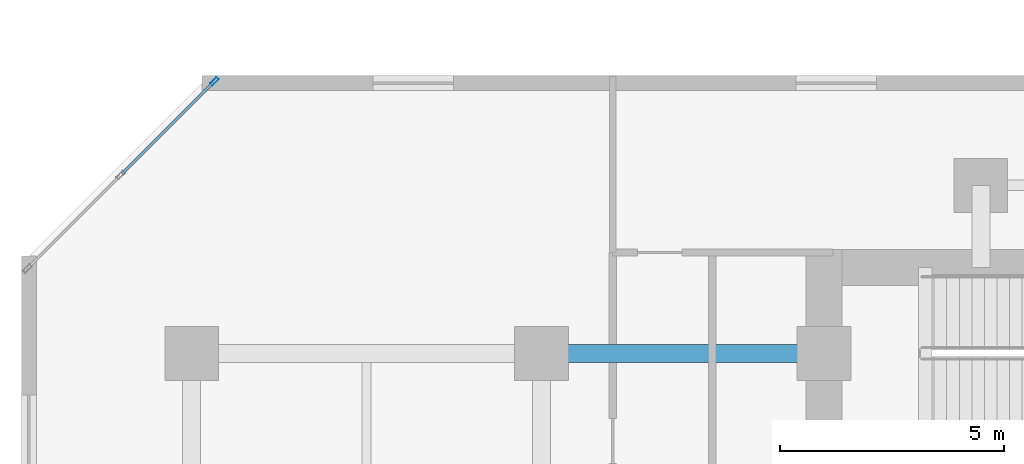
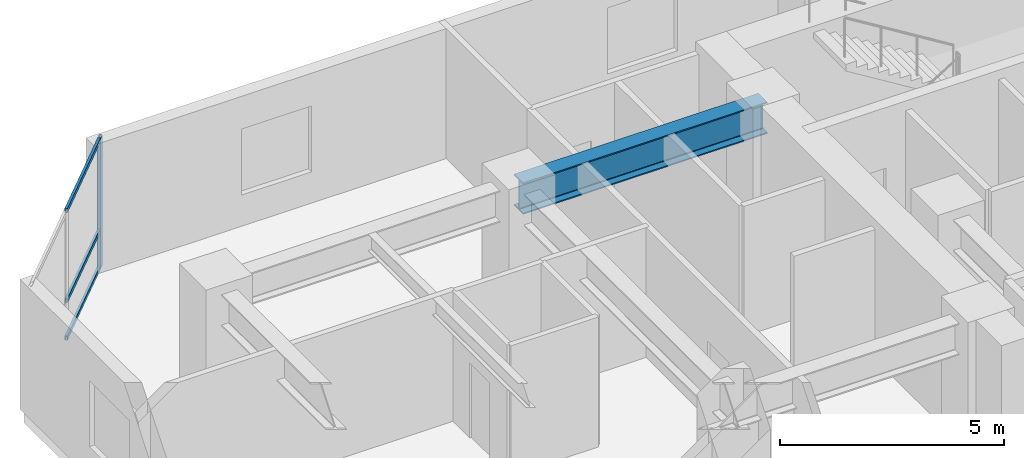
# One storey, part 4 of 12: 4 members, 1 beam, 1 element without a shape of its own.
"""IFC4 building model written with IfcOpenShell, lengths in metres."""

from ifc_helpers import new_model, si_unit, direction, frame, origin, origin_2d, place, context, subcontext, project, spatial, hollow_rectangle, i_section, extrude, material, layer, layer_set, material_profile, profile_set, type_object, element, aggregate, save


model = new_model("IFC4")

# Units and contexts
model_context = context("Model", 3, precision=1e-05, world=origin(), true_north=direction((0.0, 1.0)))
body_context = subcontext(model_context, "Body", "Model", "MODEL_VIEW")
ifc_project = project(units=[si_unit("LENGTHUNIT", "METRE"), si_unit("AREAUNIT", "SQUARE_METRE"), si_unit("VOLUMEUNIT", "CUBIC_METRE"), si_unit("PLANEANGLEUNIT", "RADIAN"), si_unit("MASSUNIT", "GRAM", prefix="KILO")], contexts=[model_context])

# Site, building, storey
site_placement = place(None, origin())
site = spatial("IfcSite", under=ifc_project, at=site_placement, CompositionType="ELEMENT")
building_placement = place(site_placement, origin())
building = spatial("IfcBuilding", under=site, at=building_placement, Name="Kestravale Grand Hotel", CompositionType="ELEMENT")
storey_placement = place(building_placement, frame((0.0, 0.0, 99.39990234375)))
storey = spatial("IfcBuildingStorey", under=building, at=storey_placement, Name="L24", CompositionType="ELEMENT", Elevation=99.39990234375)

# Beam
ifc_material_1 = material(Name="Steel ASTM A992 Grade 50", Category="steel")
ifc_material_profile_1 = material_profile(ifc_material_1, i_section(OverallWidth=0.40087890625, OverallDepth=0.861083984375, WebThickness=0.019775390625, FlangeThickness=0.032470703125, FilletRadius=0.0234375, at=origin_2d()))
ifc_profile_set_1 = profile_set([ifc_material_profile_1], Name="Steel ASTM A992 Grade 50")
beam_type = type_object("IfcBeamType", Name="B-GRD-W33", PredefinedType="BEAM", material=ifc_profile_set_1)
beam_placement = place(storey_placement, frame((15.60009765625, 38.39990234375, 3.109619140625), z_axis=(1.0, 0.0, 0.0), x_axis=(0.0, 1.0, 0.0)))
element("IfcBeam", 1, at=beam_placement, inside=storey, type_object=beam_type, Name="L24 girder F:3-CW", PredefinedType="BEAM", context=body_context, shape_type="SweptSolid", body=[
    extrude(i_section(OverallWidth=0.40087890625, OverallDepth=0.861083984375, WebThickness=0.019775390625, FlangeThickness=0.032470703125, FilletRadius=0.0234375, at=origin_2d()), origin(), (0.0, 0.0, 1.0), 6.2998046875),
])

# Curtain wall, members
ifc_material_2 = material(Name="Thermally broken champagne-bronze aluminium and low-E glazing", Category="aluminium")
ifc_layer = layer(ifc_material_2, 0.199951171875)
ifc_layer_set = layer_set([ifc_layer], Name="CW-Z2")
curtain_wall_type = type_object("IfcCurtainWallType", Name="CW-Z2", PredefinedType="NOTDEFINED", material=ifc_layer_set)
curtain_wall_placement = place(storey_placement, origin())
curtain_wall = element("IfcCurtainWall", 2, at=curtain_wall_placement, inside=storey, type_object=curtain_wall_type, Name="L24 unitised curtain wall 18", PredefinedType="NOTDEFINED")
ifc_material_3 = material(Name="Aluminium 6063-T6 anodised", Category="aluminium")
ifc_material_profile_2 = material_profile(ifc_material_3, hollow_rectangle(XDim=0.074951171875, YDim=0.199951171875, WallThickness=0.00390625, at=origin_2d()))
ifc_profile_set_2 = profile_set([ifc_material_profile_2], Name="Aluminium 6063-T6 anodised")
member_type_1 = type_object("IfcMemberType", Name="CW-MUL-200", PredefinedType="MULLION", material=ifc_profile_set_2)
member_1_placement = place(storey_placement, frame((8.307861328125, 44.467529296875, 0.0), z_axis=(0.0, 0.0, 1.0), x_axis=(0.707106781187, -0.707106781187, 0.0)))
member_1 = element("IfcMember", 3, at=member_1_placement, type_object=member_type_1, Name="CW-Z2 mullion 1", PredefinedType="MULLION", context=body_context, shape_type="SweptSolid", body=[
    extrude(hollow_rectangle(XDim=0.074951171875, YDim=0.199951171875, WallThickness=0.00390625, at=origin_2d()), origin(), (0.0, 0.0, 1.0), 3.5400390625),
])
ifc_material_4 = material(Name="Aluminium 6063-T6 anodised", Category="aluminium")
ifc_material_profile_3 = material_profile(ifc_material_4, hollow_rectangle(XDim=0.06494140625, YDim=0.114990234375, WallThickness=0.003173828125, at=origin_2d()))
ifc_profile_set_3 = profile_set([ifc_material_profile_3], Name="Aluminium 6063-T6 anodised")
member_type_2 = type_object("IfcMemberType", Name="CW-TRN-115", PredefinedType="USERDEFINED", material=ifc_profile_set_3)
member_2_placement = place(storey_placement, frame((8.28125, 44.44091796875, 0.03271484375), z_axis=(-0.707064354356, -0.707149205472, 0.0), x_axis=(0.707149205472, -0.707064354356, 0.0)))
member_2 = element("IfcMember", 4, at=member_2_placement, type_object=member_type_2, Name="CW-Z2 transom 1.1", ObjectType="TRANSOM", PredefinedType="USERDEFINED", context=body_context, shape_type="SweptSolid", body=[
    extrude(hollow_rectangle(XDim=0.06494140625, YDim=0.114990234375, WallThickness=0.003173828125, at=origin_2d()), origin(), (0.0, 0.0, 1.0), 2.877197265625),
])
member_3_placement = place(storey_placement, frame((8.28125, 44.44091796875, 1.050048828125), z_axis=(-0.707064354356, -0.707149205472, 0.0), x_axis=(0.707149205472, -0.707064354356, 0.0)))
member_3 = element("IfcMember", 5, at=member_3_placement, type_object=member_type_2, Name="CW-Z2 transom 1.2", ObjectType="TRANSOM", PredefinedType="USERDEFINED", context=body_context, shape_type="SweptSolid", body=[
    extrude(hollow_rectangle(XDim=0.06494140625, YDim=0.114990234375, WallThickness=0.003173828125, at=origin_2d()), origin(), (0.0, 0.0, 1.0), 2.877197265625),
])
member_4_placement = place(storey_placement, frame((8.28125, 44.44091796875, 3.507568359375), z_axis=(-0.707064354356, -0.707149205472, 0.0), x_axis=(0.707149205472, -0.707064354356, 0.0)))
member_4 = element("IfcMember", 6, at=member_4_placement, type_object=member_type_2, Name="CW-Z2 transom 1.3", ObjectType="TRANSOM", PredefinedType="USERDEFINED", context=body_context, shape_type="SweptSolid", body=[
    extrude(hollow_rectangle(XDim=0.06494140625, YDim=0.114990234375, WallThickness=0.003173828125, at=origin_2d()), origin(), (0.0, 0.0, 1.0), 2.877197265625),
])
aggregate(curtain_wall, [member_1, member_2, member_3, member_4])

save(model, "model.ifc")
